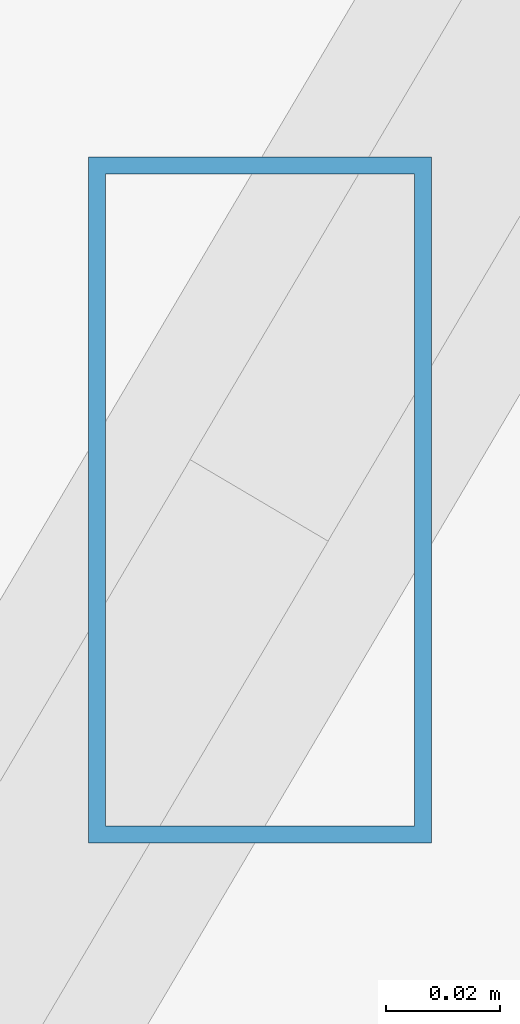
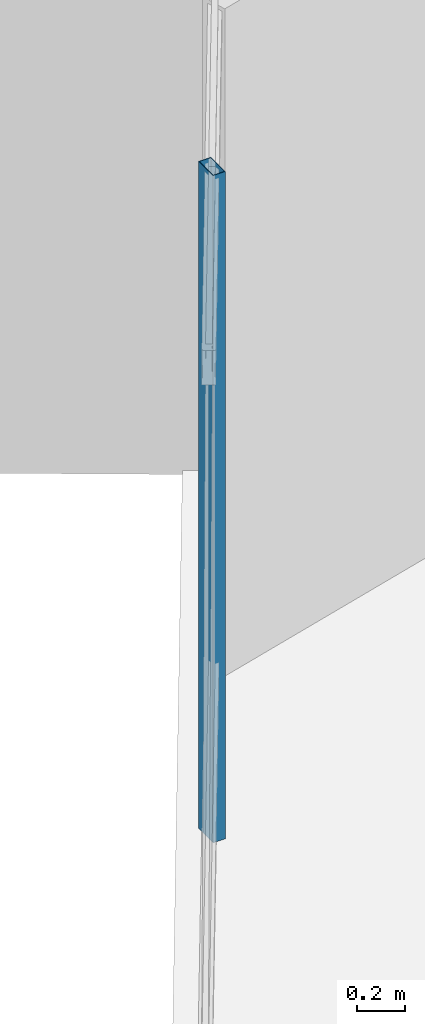
# One storey, part 7 of 48: 1 member, 1 element without a shape of its own.
"""IFC4 building model written with IfcOpenShell, lengths in metres."""

from ifc_helpers import new_model, si_unit, direction, frame, origin, origin_2d, place, context, subcontext, project, spatial, hollow_rectangle, extrude, source, transform, mapped, material, material_profile, profile_set, type_object, type_shapes, element, aggregate, save


model = new_model("IFC4")

# Units and contexts
model_context = context("Model", 3, precision=1e-05, world=origin(), true_north=direction((0.0, 1.0)))
body_context = subcontext(model_context, "Body", "Model", "MODEL_VIEW")
ifc_project = project(units=[si_unit("LENGTHUNIT", "METRE"), si_unit("AREAUNIT", "SQUARE_METRE"), si_unit("VOLUMEUNIT", "CUBIC_METRE"), si_unit("PLANEANGLEUNIT", "RADIAN"), si_unit("MASSUNIT", "GRAM", prefix="KILO")], contexts=[model_context])

# Site, building, storey
site_placement = place(None, origin())
site = spatial("IfcSite", under=ifc_project, at=site_placement, CompositionType="ELEMENT")
building_placement = place(site_placement, origin())
building = spatial("IfcBuilding", under=site, at=building_placement, Name="Caelisora Broadcast Tower", CompositionType="ELEMENT")
storey_placement = place(building_placement, frame((0.0, 0.0, 270.0)))
storey = spatial("IfcBuildingStorey", under=building, at=storey_placement, Name="L71", CompositionType="ELEMENT", Elevation=270.0)

# Curtain wall, member
ifc_material_1 = material(Name="Unitised Aluminium and Low-E Glass Curtain Wall", Category="glass")
curtain_wall_type = type_object("IfcCurtainWallType", Name="CW-Z5", PredefinedType="NOTDEFINED", material=ifc_material_1)
curtain_wall_placement = place(storey_placement, origin())
curtain_wall = element("IfcCurtainWall", 1, at=curtain_wall_placement, inside=storey, type_object=curtain_wall_type, Name="L71 curtain wall CW-Z5", PredefinedType="NOTDEFINED")
ifc_material_2 = material(Name="Aluminium 6063-T6 Anodised Terracotta Bronze", Category="aluminium")
ifc_material_profile = material_profile(ifc_material_2, hollow_rectangle(XDim=0.06005859375, YDim=0.1201171875, WallThickness=0.0029296875, at=origin_2d()), Name="Aluminium 6063-T6 Anodised Terracotta Bronze")
ifc_profile_set = profile_set([ifc_material_profile], Name="Aluminium 6063-T6 Anodised Terracotta Bronze")
member_type = type_object("IfcMemberType", Name="CWM-04", PredefinedType="MULLION", material=ifc_profile_set)
shared_shape = source(origin(), body_context, "Body", "SweptSolid", [
    extrude(hollow_rectangle(XDim=0.06005859375, YDim=0.1201171875, WallThickness=0.0029296875, at=origin_2d()), origin(), (0.0, 0.0, 1.0), 3.39990234375),
])
type_shapes(member_type, [shared_shape])
member_placement = place(storey_placement, frame((15.310791015625, 16.7490234375, 0.0), z_axis=(0.0, 0.0, 1.0), x_axis=(1.0, 0.0, 0.0)))
member = element("IfcMember", 2, at=member_placement, type_object=member_type, Name="L71-CW-B09 mullion #1", PredefinedType="MULLION", context=body_context, shape_type="MappedRepresentation", body=[
    mapped(shared_shape, transform((0.0, 0.0, 0.0), scale=1.0)),
])
aggregate(curtain_wall, [member])

save(model, "model.ifc")
